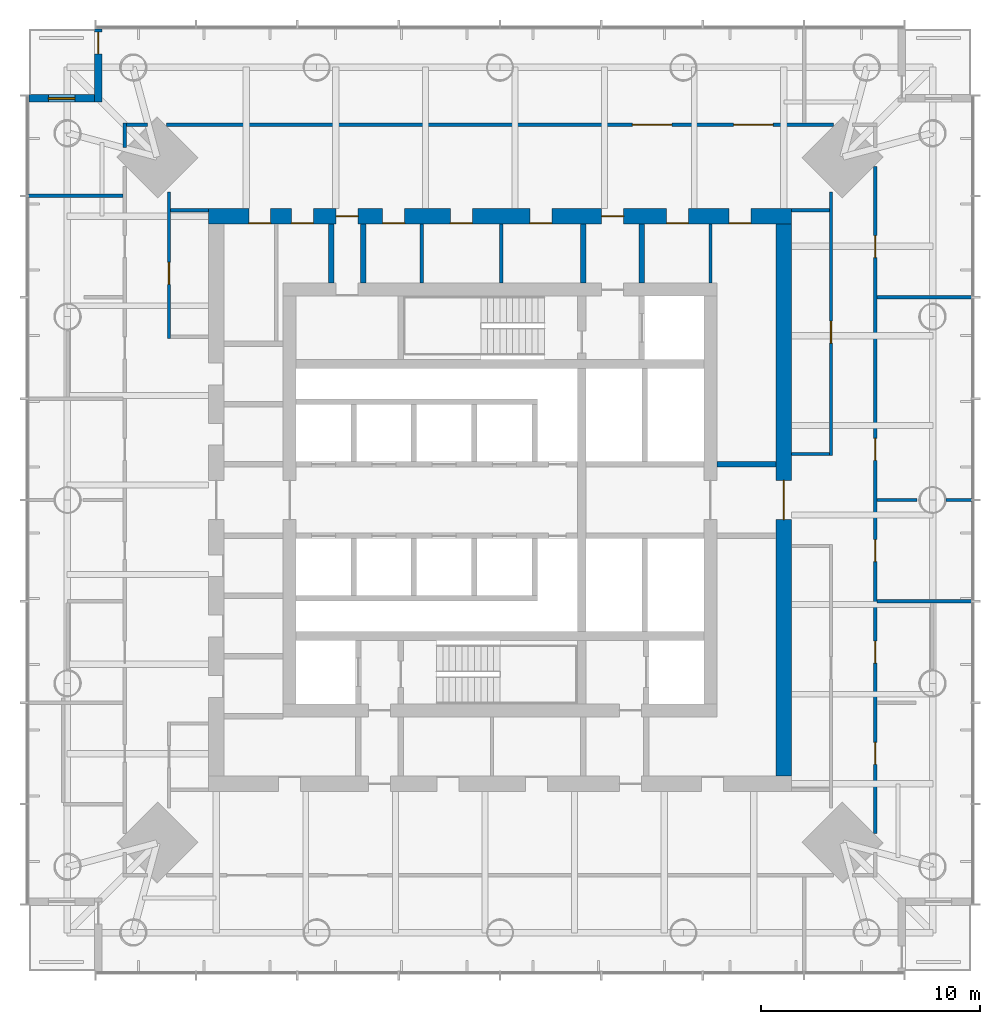
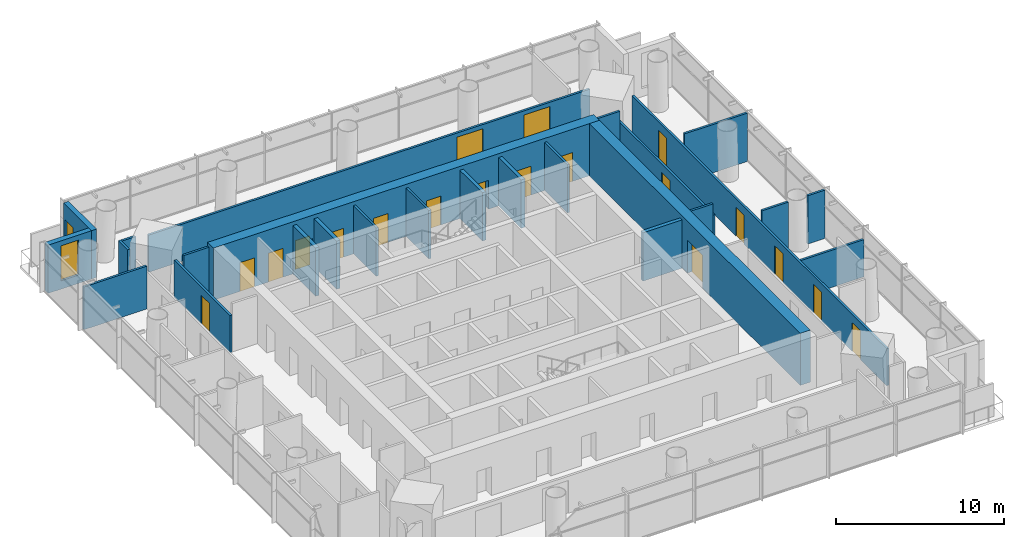
# One storey, part 9 of 11: 26 walls, 20 doors, 1 window, 21 openings.
"""IFC4 building model written with IfcOpenShell, lengths in metres."""

from ifc_helpers import new_model, si_unit, direction, frame, frame_2d, origin, place, context, subcontext, project, spatial, rectangle, extrude, material, layer, layer_set, type_object, element, fill, save


model = new_model("IFC4")

# Units and contexts
model_context = context("Model", 3, precision=1e-05, world=origin(), true_north=direction((0.0, 1.0)))
body_context = subcontext(model_context, "Body", "Model", "MODEL_VIEW")
ifc_project = project(units=[si_unit("LENGTHUNIT", "METRE"), si_unit("AREAUNIT", "SQUARE_METRE"), si_unit("VOLUMEUNIT", "CUBIC_METRE"), si_unit("PLANEANGLEUNIT", "RADIAN"), si_unit("MASSUNIT", "GRAM", prefix="KILO")], contexts=[model_context])

# Site, building, storey
site_placement = place(None, origin())
site = spatial("IfcSite", under=ifc_project, at=site_placement, CompositionType="ELEMENT")
building_placement = place(site_placement, origin())
building = spatial("IfcBuilding", under=site, at=building_placement, Name="Ostroluk Exchange", CompositionType="ELEMENT")
storey_placement = place(building_placement, frame((0.0, 0.0, 154.0)))
storey = spatial("IfcBuildingStorey", under=building, at=storey_placement, Name="L39", CompositionType="ELEMENT", Elevation=154.0)

# Walls
ifc_material_1 = material(Name="Concrete blockwork", Category="masonry")
ifc_layer_1 = layer(ifc_material_1, 0.14990234375)
ifc_layer_set_1 = layer_set([ifc_layer_1], Name="Blockwork plant room wall 150")
wall_type_1 = type_object("IfcWallType", Name="Blockwork plant room wall 150", PredefinedType="SOLIDWALL", material=ifc_layer_set_1)
for number, where, z_axis, x_axis, name in (
    (1, (41.42431640625, 55.89990234375, 0.0), (0.0, 0.0, 1.0), (0.0, 1.0, 0.0), "Core room wall"),
    (2, (45.05224609375, 55.89990234375, 0.0), (0.0, 0.0, 1.0), (0.0, 1.0, 0.0), "Core room wall"),
    (3, (54.60009765625, 55.89990234375, 0.0), (0.0, 0.0, 1.0), (0.0, 1.0, 0.0), "Core room wall"),
):
    element("IfcWall", number, at=place(storey_placement, frame(where, z_axis=z_axis, x_axis=x_axis)), inside=storey, type_object=wall_type_1, Name=name, PredefinedType="SOLIDWALL", context=body_context, shape_type="SweptSolid", body=[
        extrude(rectangle(XDim=2.7001953125, YDim=0.14990234375, at=frame_2d((1.35009765625, 0.0))), origin(), (0.0, 0.0, 1.0), 3.52001953125),
    ])
ifc_material_2 = material(Name="Concrete blockwork", Category="masonry")
ifc_layer_2 = layer(ifc_material_2, 0.25)
ifc_layer_set_2 = layer_set([ifc_layer_2], Name="Blockwork stair enclosure wall 250")
wall_type_2 = type_object("IfcWallType", Name="Blockwork stair enclosure wall 250", PredefinedType="SOLIDWALL", material=ifc_layer_set_2)
for number, where, z_axis, x_axis, name in (
    (4, (48.804931640625, 55.89990234375, 0.0), (0.0, 0.0, 1.0), (0.0, 1.0, 0.0), "Fire lobby enclosure wall"),
    (5, (51.47509765625, 55.89990234375, 0.0), (0.0, 0.0, 1.0), (0.0, 1.0, 0.0), "Fire lobby enclosure wall"),
    (6, (54.89990234375, 47.625, 0.0), (0.0, 0.0, 1.0), (1.0, 0.0, 0.0), "Lift lobby enclosure wall"),
    (7, (37.300048828125, 55.89990234375, 0.0), (0.0, 0.0, 1.0), (0.0, 1.0, 0.0), "Core corridor wall"),
    (8, (38.75, 55.89990234375, 0.0), (0.0, 0.0, 1.0), (0.0, 1.0, 0.0), "Core corridor wall"),
):
    element("IfcWall", number, at=place(storey_placement, frame(where, z_axis=z_axis, x_axis=x_axis)), inside=storey, type_object=wall_type_2, Name=name, PredefinedType="SOLIDWALL", context=body_context, shape_type="SweptSolid", body=[
        extrude(rectangle(XDim=2.7001953125, YDim=0.25, at=frame_2d((1.35009765625, 0.0))), origin(), (0.0, 0.0, 1.0), 3.52001953125),
    ])

# Wall, openings, doors
ifc_material_3 = material(Name="Concrete C50/60", Category="concrete")
ifc_layer_3 = layer(ifc_material_3, 0.699951171875)
ifc_layer_set_3 = layer_set([ifc_layer_3], Name="Core wall 700 C50/60")
wall_type_3 = type_object("IfcWallType", Name="Core wall 700 C50/60", PredefinedType="SHEAR", material=ifc_layer_set_3)
wall_1_placement = place(storey_placement, frame((31.699951171875, 58.949951171875, 0.0), z_axis=(0.0, 0.0, 1.0), x_axis=(1.0, 0.0, 0.0)))
wall_1 = element("IfcWall", 9, at=wall_1_placement, inside=storey, type_object=wall_type_3, Name="T1 core wall RN", PredefinedType="SHEAR", context=body_context, shape_type="SweptSolid", body=[
    extrude(rectangle(XDim=26.60009765625, YDim=0.699951171875, at=frame_2d((13.300048828125, 0.0))), origin(), (0.0, 0.0, 1.0), 3.800048828125),
])
opening_1_placement = place(wall_1_placement, frame((17.93994140625, 0.0, 0.0)))
opening_1 = element("IfcOpeningElement", 10, at=opening_1_placement, cuts=wall_1, Name="Opening FD60", PredefinedType="OPENING", context=body_context, shape_type="SweptSolid", body=[
    extrude(rectangle(XDim=1.0, YDim=2.10009765625, at=frame_2d((0.5, 1.050048828125))), frame((0.0, 0.35986328125, 0.0), z_axis=(0.0, -1.0, 0.0), x_axis=(1.0, 0.0, 0.0)), (0.0, 0.0, 1.0), 0.719970703125),
])
opening_2_placement = place(wall_1_placement, frame((5.824951171875, 0.0, 0.0)))
opening_2 = element("IfcOpeningElement", 11, at=opening_2_placement, cuts=wall_1, Name="Opening FD60", PredefinedType="OPENING", context=body_context, shape_type="SweptSolid", body=[
    extrude(rectangle(XDim=1.0, YDim=2.10009765625, at=frame_2d((0.5, 1.050048828125))), frame((0.0, 0.35986328125, 0.0), z_axis=(0.0, -1.0, 0.0), x_axis=(1.0, 0.0, 0.0)), (0.0, 0.0, 1.0), 0.719970703125),
])
opening_3_placement = place(wall_1_placement, frame((1.83740234375, 0.0, 0.0)))
opening_3 = element("IfcOpeningElement", 12, at=opening_3_placement, cuts=wall_1, Name="Opening FD60", PredefinedType="OPENING", context=body_context, shape_type="SweptSolid", body=[
    extrude(rectangle(XDim=1.0, YDim=2.10009765625, at=frame_2d((0.5, 1.050048828125))), frame((0.0, 0.35986328125, 0.0), z_axis=(0.0, -1.0, 0.0), x_axis=(1.0, 0.0, 0.0)), (0.0, 0.0, 1.0), 0.719970703125),
])
opening_4_placement = place(wall_1_placement, frame((3.78125, 0.0, 0.0)))
opening_4 = element("IfcOpeningElement", 13, at=opening_4_placement, cuts=wall_1, Name="Opening FD60", PredefinedType="OPENING", context=body_context, shape_type="SweptSolid", body=[
    extrude(rectangle(XDim=1.0, YDim=2.10009765625, at=frame_2d((0.5, 1.050048828125))), frame((0.0, 0.35986328125, 0.0), z_axis=(0.0, -1.0, 0.0), x_axis=(1.0, 0.0, 0.0)), (0.0, 0.0, 1.0), 0.719970703125),
])
opening_5_placement = place(wall_1_placement, frame((7.94970703125, 0.0, 0.0)))
opening_5 = element("IfcOpeningElement", 14, at=opening_5_placement, cuts=wall_1, Name="Opening FD60", PredefinedType="OPENING", context=body_context, shape_type="SweptSolid", body=[
    extrude(rectangle(XDim=1.0, YDim=2.10009765625, at=frame_2d((0.5, 1.050048828125))), frame((0.0, 0.35986328125, 0.0), z_axis=(0.0, -1.0, 0.0), x_axis=(1.0, 0.0, 0.0)), (0.0, 0.0, 1.0), 0.719970703125),
])
opening_6_placement = place(wall_1_placement, frame((11.038330078125, 0.0, 0.0)))
opening_6 = element("IfcOpeningElement", 15, at=opening_6_placement, cuts=wall_1, Name="Opening FD60", PredefinedType="OPENING", context=body_context, shape_type="SweptSolid", body=[
    extrude(rectangle(XDim=1.0, YDim=2.10009765625, at=frame_2d((0.5, 1.050048828125))), frame((0.0, 0.35986328125, 0.0), z_axis=(0.0, -1.0, 0.0), x_axis=(1.0, 0.0, 0.0)), (0.0, 0.0, 1.0), 0.719970703125),
])
opening_7_placement = place(wall_1_placement, frame((14.666015625, 0.0, 0.0)))
opening_7 = element("IfcOpeningElement", 16, at=opening_7_placement, cuts=wall_1, Name="Opening FD60", PredefinedType="OPENING", context=body_context, shape_type="SweptSolid", body=[
    extrude(rectangle(XDim=1.0, YDim=2.10009765625, at=frame_2d((0.5, 1.050048828125))), frame((0.0, 0.35986328125, 0.0), z_axis=(0.0, -1.0, 0.0), x_axis=(1.0, 0.0, 0.0)), (0.0, 0.0, 1.0), 0.719970703125),
])
opening_8_placement = place(wall_1_placement, frame((20.89990234375, 0.0, 0.0)))
opening_8 = element("IfcOpeningElement", 17, at=opening_8_placement, cuts=wall_1, Name="Opening FD60", PredefinedType="OPENING", context=body_context, shape_type="SweptSolid", body=[
    extrude(rectangle(XDim=1.0, YDim=2.10009765625, at=frame_2d((0.5, 1.050048828125))), frame((0.0, 0.35986328125, 0.0), z_axis=(0.0, -1.0, 0.0), x_axis=(1.0, 0.0, 0.0)), (0.0, 0.0, 1.0), 0.719970703125),
])
opening_9_placement = place(wall_1_placement, frame((23.75, 0.0, 0.0)))
opening_9 = element("IfcOpeningElement", 18, at=opening_9_placement, cuts=wall_1, Name="Opening FD60", PredefinedType="OPENING", context=body_context, shape_type="SweptSolid", body=[
    extrude(rectangle(XDim=1.0, YDim=2.10009765625, at=frame_2d((0.5, 1.050048828125))), frame((0.0, 0.35986328125, 0.0), z_axis=(0.0, -1.0, 0.0), x_axis=(1.0, 0.0, 0.0)), (0.0, 0.0, 1.0), 0.719970703125),
])
ifc_material_4 = material(Name="Steel", Category="steel")
door_type_1 = type_object("IfcDoorType", Name="Fire door EI 60 1000 x 2100", OperationType="SINGLE_SWING_LEFT", PredefinedType="DOOR", material=ifc_material_4)
door_1_placement = place(opening_1_placement, origin())
door_1 = element("IfcDoor", 19, at=door_1_placement, inside=storey, type_object=door_type_1, Name="Firefighting lobby door", OperationType="SINGLE_SWING_RIGHT", OverallHeight=2.10009765625, OverallWidth=1.0, PredefinedType="DOOR", context=body_context, shape_type="SweptSolid", body=[
    extrude(rectangle(XDim=1.0, YDim=2.10009765625, at=frame_2d((0.5, 1.050048828125))), frame((0.0, 0.02490234375, 0.0), z_axis=(0.0, -1.0, 0.0), x_axis=(1.0, 0.0, 0.0)), (0.0, 0.0, 1.0), 0.050048828125),
])
fill(opening_1, door_1)
door_2_placement = place(opening_2_placement, origin())
door_2 = element("IfcDoor", 20, at=door_2_placement, inside=storey, type_object=door_type_1, Name="Core corridor door", OperationType="SINGLE_SWING_LEFT", OverallHeight=2.10009765625, OverallWidth=1.0, PredefinedType="DOOR", context=body_context, shape_type="SweptSolid", body=[
    extrude(rectangle(XDim=1.0, YDim=2.10009765625, at=frame_2d((0.5, 1.050048828125))), frame((0.0, 0.02490234375, 0.0), z_axis=(0.0, -1.0, 0.0), x_axis=(1.0, 0.0, 0.0)), (0.0, 0.0, 1.0), 0.050048828125),
])
fill(opening_2, door_2)
door_3_placement = place(opening_3_placement, origin())
door_3 = element("IfcDoor", 21, at=door_3_placement, inside=storey, type_object=door_type_1, Name="Tenant IT room door", OperationType="SINGLE_SWING_LEFT", OverallHeight=2.10009765625, OverallWidth=1.0, PredefinedType="DOOR", context=body_context, shape_type="SweptSolid", body=[
    extrude(rectangle(XDim=1.0, YDim=2.10009765625, at=frame_2d((0.5, 1.050048828125))), frame((0.0, -0.2900390625, 0.0), z_axis=(0.0, -1.0, 0.0), x_axis=(1.0, 0.0, 0.0)), (0.0, 0.0, 1.0), 0.050048828125),
])
fill(opening_3, door_3)
door_4_placement = place(opening_4_placement, origin())
door_4 = element("IfcDoor", 22, at=door_4_placement, inside=storey, type_object=door_type_1, Name="First aid room door", OperationType="SINGLE_SWING_LEFT", OverallHeight=2.10009765625, OverallWidth=1.0, PredefinedType="DOOR", context=body_context, shape_type="SweptSolid", body=[
    extrude(rectangle(XDim=1.0, YDim=2.10009765625, at=frame_2d((0.5, 1.050048828125))), frame((0.0, -0.2900390625, 0.0), z_axis=(0.0, -1.0, 0.0), x_axis=(1.0, 0.0, 0.0)), (0.0, 0.0, 1.0), 0.050048828125),
])
fill(opening_4, door_4)
door_5_placement = place(opening_5_placement, origin())
door_5 = element("IfcDoor", 23, at=door_5_placement, inside=storey, type_object=door_type_1, Name="Print and post room door", OperationType="SINGLE_SWING_LEFT", OverallHeight=2.10009765625, OverallWidth=1.0, PredefinedType="DOOR", context=body_context, shape_type="SweptSolid", body=[
    extrude(rectangle(XDim=1.0, YDim=2.10009765625, at=frame_2d((0.5, 1.050048828125))), frame((0.0, -0.2900390625, 0.0), z_axis=(0.0, -1.0, 0.0), x_axis=(1.0, 0.0, 0.0)), (0.0, 0.0, 1.0), 0.050048828125),
])
fill(opening_5, door_5)
door_6_placement = place(opening_6_placement, origin())
door_6 = element("IfcDoor", 24, at=door_6_placement, inside=storey, type_object=door_type_1, Name="Archive door", OperationType="SINGLE_SWING_LEFT", OverallHeight=2.10009765625, OverallWidth=1.0, PredefinedType="DOOR", context=body_context, shape_type="SweptSolid", body=[
    extrude(rectangle(XDim=1.0, YDim=2.10009765625, at=frame_2d((0.5, 1.050048828125))), frame((0.0, -0.2900390625, 0.0), z_axis=(0.0, -1.0, 0.0), x_axis=(1.0, 0.0, 0.0)), (0.0, 0.0, 1.0), 0.050048828125),
])
fill(opening_6, door_6)
door_7_placement = place(opening_7_placement, origin())
door_7 = element("IfcDoor", 25, at=door_7_placement, inside=storey, type_object=door_type_1, Name="Tenant IT room door", OperationType="SINGLE_SWING_RIGHT", OverallHeight=2.10009765625, OverallWidth=1.0, PredefinedType="DOOR", context=body_context, shape_type="SweptSolid", body=[
    extrude(rectangle(XDim=1.0, YDim=2.10009765625, at=frame_2d((0.5, 1.050048828125))), frame((0.0, -0.2900390625, 0.0), z_axis=(0.0, -1.0, 0.0), x_axis=(1.0, 0.0, 0.0)), (0.0, 0.0, 1.0), 0.050048828125),
])
fill(opening_7, door_7)
door_8_placement = place(opening_8_placement, origin())
door_8 = element("IfcDoor", 26, at=door_8_placement, inside=storey, type_object=door_type_1, Name="First aid room door", OperationType="SINGLE_SWING_RIGHT", OverallHeight=2.10009765625, OverallWidth=1.0, PredefinedType="DOOR", context=body_context, shape_type="SweptSolid", body=[
    extrude(rectangle(XDim=1.0, YDim=2.10009765625, at=frame_2d((0.5, 1.050048828125))), frame((0.0, -0.2900390625, 0.0), z_axis=(0.0, -1.0, 0.0), x_axis=(1.0, 0.0, 0.0)), (0.0, 0.0, 1.0), 0.050048828125),
])
fill(opening_8, door_8)
door_9_placement = place(opening_9_placement, origin())
door_9 = element("IfcDoor", 27, at=door_9_placement, inside=storey, type_object=door_type_1, Name="Tea point door", OperationType="SINGLE_SWING_RIGHT", OverallHeight=2.10009765625, OverallWidth=1.0, PredefinedType="DOOR", context=body_context, shape_type="SweptSolid", body=[
    extrude(rectangle(XDim=1.0, YDim=2.10009765625, at=frame_2d((0.5, 1.050048828125))), frame((0.0, -0.2900390625, 0.0), z_axis=(0.0, -1.0, 0.0), x_axis=(1.0, 0.0, 0.0)), (0.0, 0.0, 1.0), 0.050048828125),
])
fill(opening_9, door_9)

# Wall, opening, door
wall_2_placement = place(storey_placement, frame((57.949951171875, 33.39990234375, 0.0), z_axis=(0.0, 0.0, 1.0), x_axis=(0.0, 1.0, 0.0)))
wall_2 = element("IfcWall", 28, at=wall_2_placement, inside=storey, type_object=wall_type_3, Name="T1 core wall RE", PredefinedType="SHEAR", context=body_context, shape_type="SweptSolid", body=[
    extrude(rectangle(XDim=25.2001953125, YDim=0.699951171875, at=frame_2d((12.60009765625, 0.0))), origin(), (0.0, 0.0, 1.0), 3.800048828125),
])
opening_10_placement = place(wall_2_placement, frame((11.699951171875, 0.0, 0.0)))
opening_10 = element("IfcOpeningElement", 29, at=opening_10_placement, cuts=wall_2, Name="Opening FD30D", PredefinedType="OPENING", context=body_context, shape_type="SweptSolid", body=[
    extrude(rectangle(XDim=1.800048828125, YDim=2.39990234375, at=frame_2d((0.89990234375, 1.199951171875))), frame((0.0, 0.35986328125, 0.0), z_axis=(0.0, -1.0, 0.0), x_axis=(1.0, 0.0, 0.0)), (0.0, 0.0, 1.0), 0.719970703125),
])
ifc_material_5 = material(Name="Timber", Category="wood")
door_type_2 = type_object("IfcDoorType", Name="Lobby double door EI 30 1800 x 2400", OperationType="DOUBLE_DOOR_SINGLE_SWING", PredefinedType="DOOR", material=ifc_material_5)
door_10_placement = place(opening_10_placement, origin())
door_10 = element("IfcDoor", 30, at=door_10_placement, inside=storey, type_object=door_type_2, Name="Lift lobby doors", OperationType="DOUBLE_DOOR_SINGLE_SWING", OverallHeight=2.39990234375, OverallWidth=1.800048828125, PredefinedType="DOOR", context=body_context, shape_type="SweptSolid", body=[
    extrude(rectangle(XDim=1.800048828125, YDim=2.39990234375, at=frame_2d((0.89990234375, 1.199951171875))), frame((0.0, 0.02490234375, 0.0), z_axis=(0.0, -1.0, 0.0), x_axis=(1.0, 0.0, 0.0)), (0.0, 0.0, 1.0), 0.050048828125),
])
fill(opening_10, door_10)

ifc_material_6 = material(Name="Limestone", Category="masonry")
ifc_layer_4 = layer(ifc_material_6, 0.35009765625)
ifc_layer_set_4 = layer_set([ifc_layer_4], Name="Limestone facade wall 350")
wall_type_4 = type_object("IfcWallType", Name="Limestone facade wall 350", PredefinedType="SOLIDWALL", material=ifc_layer_set_4)
wall_3_placement = place(storey_placement, frame((26.675048828125, 67.5, 0.0), z_axis=(0.0, 0.0, 1.0), x_axis=(0.0, -1.0, 0.0)))
wall_3 = element("IfcWall", 31, at=wall_3_placement, inside=storey, type_object=wall_type_4, Name="Office tower NW corner wall L39 a", PredefinedType="SOLIDWALL", context=body_context, shape_type="SweptSolid", body=[
    extrude(rectangle(XDim=3.35009765625, YDim=0.35009765625, at=frame_2d((1.675048828125, 0.0))), origin(), (0.0, 0.0, 1.0), 3.52001953125),
])
opening_11_placement = place(wall_3_placement, frame((0.14990234375, 0.0, 0.0)))
opening_11 = element("IfcOpeningElement", 32, at=opening_11_placement, cuts=wall_3, Name="Opening D-B1", PredefinedType="OPENING", context=body_context, shape_type="SweptSolid", body=[
    extrude(rectangle(XDim=1.0, YDim=2.39990234375, at=frame_2d((0.5, 1.199951171875))), frame((0.0, 0.18505859375, 0.0), z_axis=(0.0, -1.0, 0.0), x_axis=(1.0, 0.0, 0.0)), (0.0, 0.0, 1.0), 0.3701171875),
])
ifc_material_7 = material(Name="Bronze framed glazed door", Category="aluminium")
door_type_3 = type_object("IfcDoorType", Name="Balcony door 1000 x 2400", OperationType="SINGLE_SWING_LEFT", PredefinedType="DOOR", material=ifc_material_7)
door_11_placement = place(opening_11_placement, origin())
door_11 = element("IfcDoor", 33, at=door_11_placement, inside=storey, type_object=door_type_3, Name="Office tower NW balcony door L39", OperationType="SINGLE_SWING_LEFT", OverallHeight=2.39990234375, OverallWidth=1.0, PredefinedType="DOOR", context=body_context, shape_type="SweptSolid", body=[
    extrude(rectangle(XDim=1.0, YDim=2.39990234375, at=frame_2d((0.5, 1.199951171875))), frame((0.0, 0.02490234375, 0.0), z_axis=(0.0, -1.0, 0.0), x_axis=(1.0, 0.0, 0.0)), (0.0, 0.0, 1.0), 0.050048828125),
])
fill(opening_11, door_11)

# Wall, opening, window
wall_4_placement = place(storey_placement, frame((26.5, 64.324951171875, 0.0), z_axis=(0.0, 0.0, 1.0), x_axis=(-1.0, 0.0, 0.0)))
wall_4 = element("IfcWall", 34, at=wall_4_placement, inside=storey, type_object=wall_type_4, Name="Office tower NW corner wall L39 b", PredefinedType="SOLIDWALL", context=body_context, shape_type="SweptSolid", body=[
    extrude(rectangle(XDim=3.0, YDim=0.35009765625, at=frame_2d((1.5, 0.0))), origin(), (0.0, 0.0, 1.0), 3.52001953125),
])
opening_12_placement = place(wall_4_placement, frame((0.89990234375, 0.0, 0.60009765625)))
opening_12 = element("IfcOpeningElement", 35, at=opening_12_placement, cuts=wall_4, Name="Opening WN-L1", PredefinedType="OPENING", context=body_context, shape_type="SweptSolid", body=[
    extrude(rectangle(XDim=1.199951171875, YDim=2.550048828125, at=frame_2d((0.60009765625, 1.27490234375))), frame((0.0, 0.18505859375, 0.0), z_axis=(0.0, -1.0, 0.0), x_axis=(1.0, 0.0, 0.0)), (0.0, 0.0, 1.0), 0.3701171875),
])
ifc_material_8 = material(Name="Laminated clear glass", Category="glass")
window_type = type_object("IfcWindowType", Name="Lancet window 1200 x 2550", PartitioningType="SINGLE_PANEL", PredefinedType="WINDOW", material=ifc_material_8)
window_placement = place(opening_12_placement, origin())
window = element("IfcWindow", 36, at=window_placement, inside=storey, type_object=window_type, Name="Office tower NW lancet window L39", OverallHeight=2.550048828125, OverallWidth=1.199951171875, PartitioningType="SINGLE_PANEL", PredefinedType="WINDOW", context=body_context, shape_type="SweptSolid", body=[
    extrude(rectangle(XDim=1.199951171875, YDim=2.550048828125, at=frame_2d((0.60009765625, 1.27490234375))), frame((0.0, 0.030029296875, 0.0), z_axis=(0.0, -1.0, 0.0), x_axis=(1.0, 0.0, 0.0)), (0.0, 0.0, 1.0), 0.06005859375),
])
fill(opening_12, window)

# Wall, opening, door
ifc_material_9 = material(Name="Gypsum plasterboard partition", Category="gypsum")
ifc_layer_5 = layer(ifc_material_9, 0.14990234375)
ifc_layer_set_5 = layer_set([ifc_layer_5], Name="Plasterboard partition 150")
wall_type_5 = type_object("IfcWallType", Name="Plasterboard partition 150", PredefinedType="PARTITIONING", material=ifc_layer_set_5)
wall_5_placement = place(storey_placement, frame((60.10009765625, 48.02490234375, 0.0), z_axis=(0.0, 0.0, 1.0), x_axis=(0.0, 1.0, 0.0)))
wall_5 = element("IfcWall", 37, at=wall_5_placement, inside=storey, type_object=wall_type_5, Name="Partition", PredefinedType="PARTITIONING", context=body_context, shape_type="SweptSolid", body=[
    extrude(rectangle(XDim=12.018798828125, YDim=0.14990234375, at=frame_2d((6.00927734375, 0.0))), origin(), (0.0, 0.0, 1.0), 2.7060546875),
])
opening_13_placement = place(wall_5_placement, frame((5.137451171875, 0.0, 0.0)))
opening_13 = element("IfcOpeningElement", 38, at=opening_13_placement, cuts=wall_5, Name="Opening D-03", PredefinedType="OPENING", context=body_context, shape_type="SweptSolid", body=[
    extrude(rectangle(XDim=1.0, YDim=2.10009765625, at=frame_2d((0.5, 1.050048828125))), frame((0.0, 0.0849609375, 0.0), z_axis=(0.0, -1.0, 0.0), x_axis=(1.0, 0.0, 0.0)), (0.0, 0.0, 1.0), 0.169921875),
])
ifc_material_10 = material(Name="Timber", Category="wood")
door_type_4 = type_object("IfcDoorType", Name="Internal door 1000 x 2100", OperationType="SINGLE_SWING_LEFT", PredefinedType="DOOR", material=ifc_material_10)
door_12_placement = place(opening_13_placement, origin())
door_12 = element("IfcDoor", 39, at=door_12_placement, inside=storey, type_object=door_type_4, Name="Interview room door", OperationType="SINGLE_SWING_LEFT", OverallHeight=2.10009765625, OverallWidth=1.0, PredefinedType="DOOR", context=body_context, shape_type="SweptSolid", body=[
    extrude(rectangle(XDim=1.0, YDim=2.10009765625, at=frame_2d((0.5, 1.050048828125))), frame((0.0, 0.02490234375, 0.0), z_axis=(0.0, -1.0, 0.0), x_axis=(1.0, 0.0, 0.0)), (0.0, 0.0, 1.0), 0.050048828125),
])
fill(opening_13, door_12)

# Walls
for number, where, z_axis, x_axis, name in (
    (40, (58.300048828125, 48.10009765625, 0.0), (0.0, 0.0, 1.0), (1.0, 0.0, 0.0), "Partition"),
    (41, (58.300048828125, 59.22509765625, 0.0), (0.0, 0.0, 1.0), (1.0, 0.0, 0.0), "Partition"),
):
    element("IfcWall", number, at=place(storey_placement, frame(where, z_axis=z_axis, x_axis=x_axis)), inside=storey, type_object=wall_type_5, Name=name, PredefinedType="PARTITIONING", context=body_context, shape_type="SweptSolid", body=[
        extrude(rectangle(XDim=1.724853515625, YDim=0.14990234375, at=frame_2d((0.8623046875, 0.0))), origin(), (0.0, 0.0, 1.0), 3.52001953125),
    ])

# Wall, opening, door
wall_6_placement = place(storey_placement, frame((29.89990234375, 60.043701171875, 0.0), z_axis=(0.0, 0.0, 1.0), x_axis=(0.0, -1.0, 0.0)))
wall_6 = element("IfcWall", 42, at=wall_6_placement, inside=storey, type_object=wall_type_5, Name="Partition", PredefinedType="PARTITIONING", context=body_context, shape_type="SweptSolid", body=[
    extrude(rectangle(XDim=6.668701171875, YDim=0.14990234375, at=frame_2d((3.33447265625, 0.0))), origin(), (0.0, 0.0, 1.0), 2.7060546875),
])
opening_14_placement = place(wall_6_placement, frame((3.2060546875, 0.0, 0.0)))
opening_14 = element("IfcOpeningElement", 43, at=opening_14_placement, cuts=wall_6, Name="Opening D-03", PredefinedType="OPENING", context=body_context, shape_type="SweptSolid", body=[
    extrude(rectangle(XDim=1.0, YDim=2.10009765625, at=frame_2d((0.5, 1.050048828125))), frame((0.0, 0.0849609375, 0.0), z_axis=(0.0, -1.0, 0.0), x_axis=(1.0, 0.0, 0.0)), (0.0, 0.0, 1.0), 0.169921875),
])
door_13_placement = place(opening_14_placement, origin())
door_13 = element("IfcDoor", 44, at=door_13_placement, inside=storey, type_object=door_type_4, Name="Interview room door", OperationType="SINGLE_SWING_RIGHT", OverallHeight=2.10009765625, OverallWidth=1.0, PredefinedType="DOOR", context=body_context, shape_type="SweptSolid", body=[
    extrude(rectangle(XDim=1.0, YDim=2.10009765625, at=frame_2d((0.5, 1.050048828125))), frame((0.0, 0.02490234375, 0.0), z_axis=(0.0, -1.0, 0.0), x_axis=(1.0, 0.0, 0.0)), (0.0, 0.0, 1.0), 0.050048828125),
])
fill(opening_14, door_13)

# Wall
wall_7_placement = place(storey_placement, frame((31.699951171875, 59.22509765625, 0.0), z_axis=(0.0, 0.0, 1.0), x_axis=(-1.0, 0.0, 0.0)))
element("IfcWall", 45, at=wall_7_placement, inside=storey, type_object=wall_type_5, Name="Partition", PredefinedType="PARTITIONING", context=body_context, shape_type="SweptSolid", body=[
    extrude(rectangle(XDim=1.724853515625, YDim=0.14990234375, at=frame_2d((0.8623046875, 0.0))), origin(), (0.0, 0.0, 1.0), 3.52001953125),
])

# Wall, openings, doors
wall_8_placement = place(storey_placement, frame((62.125, 30.78857421875, 0.0), z_axis=(0.0, 0.0, 1.0), x_axis=(0.0, 1.0, 0.0)))
wall_8 = element("IfcWall", 46, at=wall_8_placement, inside=storey, type_object=wall_type_5, Name="Partition", PredefinedType="PARTITIONING", context=body_context, shape_type="SweptSolid", body=[
    extrude(rectangle(XDim=30.4228515625, YDim=0.14990234375, at=frame_2d((15.21142578125, 0.0))), origin(), (0.0, 0.0, 1.0), 2.7060546875),
])
opening_15_placement = place(wall_8_placement, frame((3.14892578125, 0.0, 0.0)))
opening_15 = element("IfcOpeningElement", 47, at=opening_15_placement, cuts=wall_8, Name="Opening D-03", PredefinedType="OPENING", context=body_context, shape_type="SweptSolid", body=[
    extrude(rectangle(XDim=1.0, YDim=2.10009765625, at=frame_2d((0.5, 1.050048828125))), frame((0.0, 0.0849609375, 0.0), z_axis=(0.0, -1.0, 0.0), x_axis=(1.0, 0.0, 0.0)), (0.0, 0.0, 1.0), 0.169921875),
])
opening_16_placement = place(wall_8_placement, frame((7.77392578125, 0.0, 0.0)))
opening_16 = element("IfcOpeningElement", 48, at=opening_16_placement, cuts=wall_8, Name="Opening D-03", PredefinedType="OPENING", context=body_context, shape_type="SweptSolid", body=[
    extrude(rectangle(XDim=1.0, YDim=2.10009765625, at=frame_2d((0.5, 1.050048828125))), frame((0.0, 0.0849609375, 0.0), z_axis=(0.0, -1.0, 0.0), x_axis=(1.0, 0.0, 0.0)), (0.0, 0.0, 1.0), 0.169921875),
])
opening_17_placement = place(wall_8_placement, frame((12.39892578125, 0.0, 0.0)))
opening_17 = element("IfcOpeningElement", 49, at=opening_17_placement, cuts=wall_8, Name="Opening D-03", PredefinedType="OPENING", context=body_context, shape_type="SweptSolid", body=[
    extrude(rectangle(XDim=1.0, YDim=2.10009765625, at=frame_2d((0.5, 1.050048828125))), frame((0.0, 0.0849609375, 0.0), z_axis=(0.0, -1.0, 0.0), x_axis=(1.0, 0.0, 0.0)), (0.0, 0.0, 1.0), 0.169921875),
])
opening_18_placement = place(wall_8_placement, frame((17.02392578125, 0.0, 0.0)))
opening_18 = element("IfcOpeningElement", 50, at=opening_18_placement, cuts=wall_8, Name="Opening D-03", PredefinedType="OPENING", context=body_context, shape_type="SweptSolid", body=[
    extrude(rectangle(XDim=1.0, YDim=2.10009765625, at=frame_2d((0.5, 1.050048828125))), frame((0.0, 0.0849609375, 0.0), z_axis=(0.0, -1.0, 0.0), x_axis=(1.0, 0.0, 0.0)), (0.0, 0.0, 1.0), 0.169921875),
])
opening_19_placement = place(wall_8_placement, frame((26.27392578125, 0.0, 0.0)))
opening_19 = element("IfcOpeningElement", 51, at=opening_19_placement, cuts=wall_8, Name="Opening D-03", PredefinedType="OPENING", context=body_context, shape_type="SweptSolid", body=[
    extrude(rectangle(XDim=1.0, YDim=2.10009765625, at=frame_2d((0.5, 1.050048828125))), frame((0.0, 0.0849609375, 0.0), z_axis=(0.0, -1.0, 0.0), x_axis=(1.0, 0.0, 0.0)), (0.0, 0.0, 1.0), 0.169921875),
])
door_14_placement = place(opening_15_placement, origin())
door_14 = element("IfcDoor", 52, at=door_14_placement, inside=storey, type_object=door_type_4, Name="Office suite door", OperationType="SINGLE_SWING_LEFT", OverallHeight=2.10009765625, OverallWidth=1.0, PredefinedType="DOOR", context=body_context, shape_type="SweptSolid", body=[
    extrude(rectangle(XDim=1.0, YDim=2.10009765625, at=frame_2d((0.5, 1.050048828125))), frame((0.0, 0.02490234375, 0.0), z_axis=(0.0, -1.0, 0.0), x_axis=(1.0, 0.0, 0.0)), (0.0, 0.0, 1.0), 0.050048828125),
])
fill(opening_15, door_14)
door_15_placement = place(opening_16_placement, origin())
door_15 = element("IfcDoor", 53, at=door_15_placement, inside=storey, type_object=door_type_4, Name="Pantry door", OperationType="SINGLE_SWING_LEFT", OverallHeight=2.10009765625, OverallWidth=1.0, PredefinedType="DOOR", context=body_context, shape_type="SweptSolid", body=[
    extrude(rectangle(XDim=1.0, YDim=2.10009765625, at=frame_2d((0.5, 1.050048828125))), frame((0.0, 0.02490234375, 0.0), z_axis=(0.0, -1.0, 0.0), x_axis=(1.0, 0.0, 0.0)), (0.0, 0.0, 1.0), 0.050048828125),
])
fill(opening_16, door_15)
door_16_placement = place(opening_17_placement, origin())
door_16 = element("IfcDoor", 54, at=door_16_placement, inside=storey, type_object=door_type_4, Name="Office door", OperationType="SINGLE_SWING_LEFT", OverallHeight=2.10009765625, OverallWidth=1.0, PredefinedType="DOOR", context=body_context, shape_type="SweptSolid", body=[
    extrude(rectangle(XDim=1.0, YDim=2.10009765625, at=frame_2d((0.5, 1.050048828125))), frame((0.0, 0.02490234375, 0.0), z_axis=(0.0, -1.0, 0.0), x_axis=(1.0, 0.0, 0.0)), (0.0, 0.0, 1.0), 0.050048828125),
])
fill(opening_17, door_16)
door_17_placement = place(opening_18_placement, origin())
door_17 = element("IfcDoor", 55, at=door_17_placement, inside=storey, type_object=door_type_4, Name="Office door", OperationType="SINGLE_SWING_RIGHT", OverallHeight=2.10009765625, OverallWidth=1.0, PredefinedType="DOOR", context=body_context, shape_type="SweptSolid", body=[
    extrude(rectangle(XDim=1.0, YDim=2.10009765625, at=frame_2d((0.5, 1.050048828125))), frame((0.0, 0.02490234375, 0.0), z_axis=(0.0, -1.0, 0.0), x_axis=(1.0, 0.0, 0.0)), (0.0, 0.0, 1.0), 0.050048828125),
])
fill(opening_18, door_17)
door_18_placement = place(opening_19_placement, origin())
door_18 = element("IfcDoor", 56, at=door_18_placement, inside=storey, type_object=door_type_4, Name="Office door", OperationType="SINGLE_SWING_RIGHT", OverallHeight=2.10009765625, OverallWidth=1.0, PredefinedType="DOOR", context=body_context, shape_type="SweptSolid", body=[
    extrude(rectangle(XDim=1.0, YDim=2.10009765625, at=frame_2d((0.5, 1.050048828125))), frame((0.0, 0.02490234375, 0.0), z_axis=(0.0, -1.0, 0.0), x_axis=(1.0, 0.0, 0.0)), (0.0, 0.0, 1.0), 0.050048828125),
])
fill(opening_19, door_18)

# Walls
wall_9_placement = place(storey_placement, frame((62.199951171875, 41.375, 0.0), z_axis=(0.0, 0.0, 1.0), x_axis=(1.0, 0.0, 0.0)))
element("IfcWall", 57, at=wall_9_placement, inside=storey, type_object=wall_type_5, Name="Partition", PredefinedType="PARTITIONING", context=body_context, shape_type="SweptSolid", body=[
    extrude(rectangle(XDim=4.340087890625, YDim=0.14990234375, at=frame_2d((2.169921875, 0.0))), origin(), (0.0, 0.0, 1.0), 2.7060546875),
])
wall_10_placement = place(storey_placement, frame((62.199951171875, 46.0, 0.0), z_axis=(0.0, 0.0, 1.0), x_axis=(1.0, 0.0, 0.0)))
element("IfcWall", 58, at=wall_10_placement, inside=storey, type_object=wall_type_5, Name="Partition", PredefinedType="PARTITIONING", context=body_context, shape_type="SweptSolid", body=[
    extrude(rectangle(XDim=1.819091796875, YDim=0.14990234375, at=frame_2d((0.90966796875, 0.0))), origin(), (0.0, 0.0, 1.0), 3.52001953125),
])
wall_11_placement = place(storey_placement, frame((65.359619140625, 46.0, 0.0), z_axis=(0.0, 0.0, 1.0), x_axis=(1.0, 0.0, 0.0)))
element("IfcWall", 59, at=wall_11_placement, inside=storey, type_object=wall_type_5, Name="Partition", PredefinedType="PARTITIONING", context=body_context, shape_type="SweptSolid", body=[
    extrude(rectangle(XDim=1.180419921875, YDim=0.14990234375, at=frame_2d((0.59033203125, 0.0))), origin(), (0.0, 0.0, 1.0), 3.52001953125),
])
wall_12_placement = place(storey_placement, frame((62.199951171875, 55.25, 0.0), z_axis=(0.0, 0.0, 1.0), x_axis=(1.0, 0.0, 0.0)))
element("IfcWall", 60, at=wall_12_placement, inside=storey, type_object=wall_type_5, Name="Partition", PredefinedType="PARTITIONING", context=body_context, shape_type="SweptSolid", body=[
    extrude(rectangle(XDim=4.340087890625, YDim=0.14990234375, at=frame_2d((2.169921875, 0.0))), origin(), (0.0, 0.0, 1.0), 3.52001953125),
])

# Wall, openings, doors
wall_13_placement = place(storey_placement, frame((60.21142578125, 63.125, 0.0), z_axis=(0.0, 0.0, 1.0), x_axis=(-1.0, 0.0, 0.0)))
wall_13 = element("IfcWall", 61, at=wall_13_placement, inside=storey, type_object=wall_type_5, Name="Partition", PredefinedType="PARTITIONING", context=body_context, shape_type="SweptSolid", body=[
    extrude(rectangle(XDim=30.4228515625, YDim=0.14990234375, at=frame_2d((15.21142578125, 0.0))), origin(), (0.0, 0.0, 1.0), 2.7060546875),
])
opening_20_placement = place(wall_13_placement, frame((2.7490234375, 0.0, 0.0)))
opening_20 = element("IfcOpeningElement", 62, at=opening_20_placement, cuts=wall_13, Name="Opening D-04", PredefinedType="OPENING", context=body_context, shape_type="SweptSolid", body=[
    extrude(rectangle(XDim=1.800048828125, YDim=2.39990234375, at=frame_2d((0.89990234375, 1.199951171875))), frame((0.0, 0.0849609375, 0.0), z_axis=(0.0, -1.0, 0.0), x_axis=(1.0, 0.0, 0.0)), (0.0, 0.0, 1.0), 0.169921875),
])
opening_21_placement = place(wall_13_placement, frame((7.3740234375, 0.0, 0.0)))
opening_21 = element("IfcOpeningElement", 63, at=opening_21_placement, cuts=wall_13, Name="Opening D-04", PredefinedType="OPENING", context=body_context, shape_type="SweptSolid", body=[
    extrude(rectangle(XDim=1.800048828125, YDim=2.39990234375, at=frame_2d((0.89990234375, 1.199951171875))), frame((0.0, 0.0849609375, 0.0), z_axis=(0.0, -1.0, 0.0), x_axis=(1.0, 0.0, 0.0)), (0.0, 0.0, 1.0), 0.169921875),
])
ifc_material_11 = material(Name="Timber", Category="wood")
door_type_5 = type_object("IfcDoorType", Name="Double door 1800 x 2400", OperationType="DOUBLE_DOOR_SINGLE_SWING", PredefinedType="DOOR", material=ifc_material_11)
door_19_placement = place(opening_20_placement, origin())
door_19 = element("IfcDoor", 64, at=door_19_placement, inside=storey, type_object=door_type_5, Name="Open plan office door", OperationType="DOUBLE_DOOR_SINGLE_SWING", OverallHeight=2.39990234375, OverallWidth=1.800048828125, PredefinedType="DOOR", context=body_context, shape_type="SweptSolid", body=[
    extrude(rectangle(XDim=1.800048828125, YDim=2.39990234375, at=frame_2d((0.89990234375, 1.199951171875))), frame((0.0, 0.02490234375, 0.0), z_axis=(0.0, -1.0, 0.0), x_axis=(1.0, 0.0, 0.0)), (0.0, 0.0, 1.0), 0.050048828125),
])
fill(opening_20, door_19)
door_20_placement = place(opening_21_placement, origin())
door_20 = element("IfcDoor", 65, at=door_20_placement, inside=storey, type_object=door_type_5, Name="Open plan office door", OperationType="DOUBLE_DOOR_SINGLE_SWING", OverallHeight=2.39990234375, OverallWidth=1.800048828125, PredefinedType="DOOR", context=body_context, shape_type="SweptSolid", body=[
    extrude(rectangle(XDim=1.800048828125, YDim=2.39990234375, at=frame_2d((0.89990234375, 1.199951171875))), frame((0.0, 0.02490234375, 0.0), z_axis=(0.0, -1.0, 0.0), x_axis=(1.0, 0.0, 0.0)), (0.0, 0.0, 1.0), 0.050048828125),
])
fill(opening_21, door_20)

# Walls
wall_14_placement = place(storey_placement, frame((28.91162109375, 63.125, 0.0), z_axis=(0.0, 0.0, 1.0), x_axis=(-1.0, 0.0, 0.0)))
element("IfcWall", 66, at=wall_14_placement, inside=storey, type_object=wall_type_5, Name="Partition", PredefinedType="PARTITIONING", context=body_context, shape_type="SweptSolid", body=[
    extrude(rectangle(XDim=0.961669921875, YDim=0.14990234375, at=frame_2d((0.48095703125, 0.0))), origin(), (0.0, 0.0, 1.0), 2.919921875),
])
wall_15_placement = place(storey_placement, frame((27.875, 63.199951171875, 0.0), z_axis=(0.0, 0.0, 1.0), x_axis=(0.0, -1.0, 0.0)))
element("IfcWall", 67, at=wall_15_placement, inside=storey, type_object=wall_type_5, Name="Partition", PredefinedType="PARTITIONING", context=body_context, shape_type="SweptSolid", body=[
    extrude(rectangle(XDim=1.111572265625, YDim=0.14990234375, at=frame_2d((0.5556640625, 0.0))), origin(), (0.0, 0.0, 1.0), 2.919921875),
])
wall_16_placement = place(storey_placement, frame((27.800048828125, 59.875, 0.0), z_axis=(0.0, 0.0, 1.0), x_axis=(-1.0, 0.0, 0.0)))
element("IfcWall", 68, at=wall_16_placement, inside=storey, type_object=wall_type_5, Name="Partition", PredefinedType="PARTITIONING", context=body_context, shape_type="SweptSolid", body=[
    extrude(rectangle(XDim=4.340087890625, YDim=0.14990234375, at=frame_2d((2.169921875, 0.0))), origin(), (0.0, 0.0, 1.0), 3.1201171875),
])

save(model, "model.ifc")
